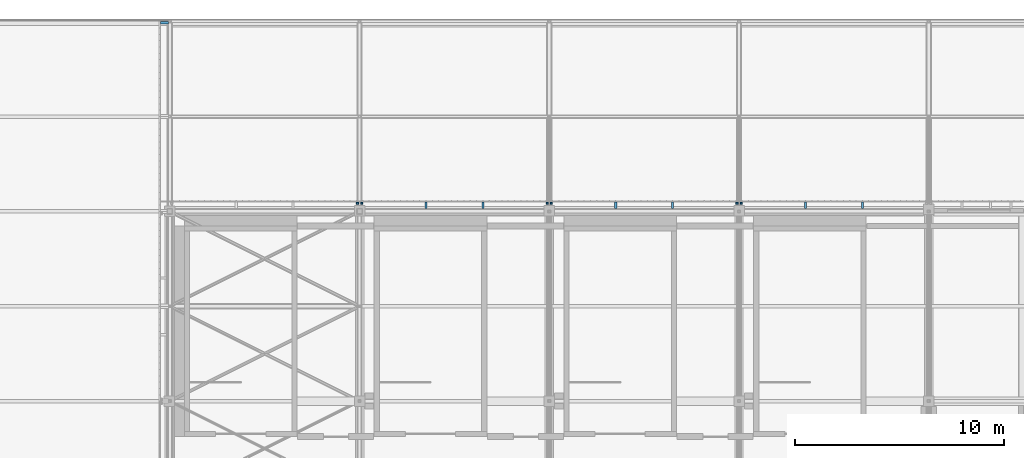
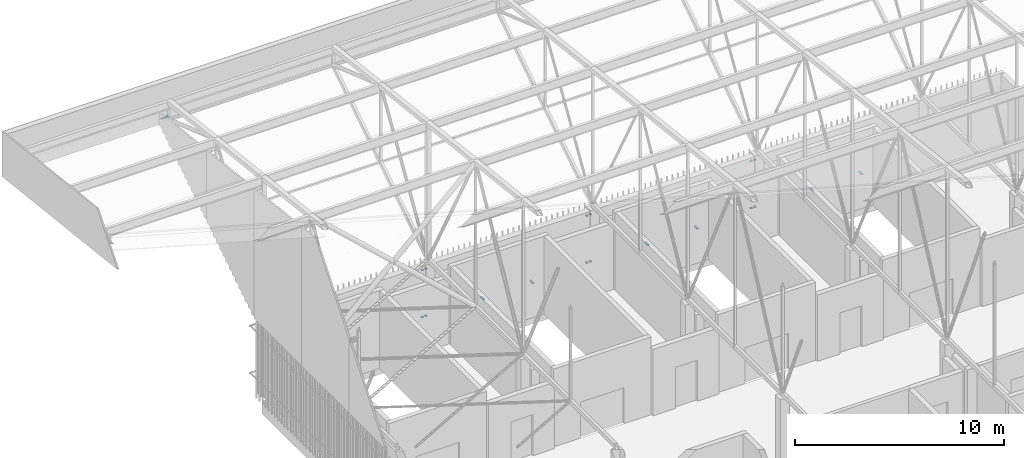
# One storey, part 447 of 500: 19 discrete accessories.
"""IFC4 building model written with IfcOpenShell, lengths in metres."""

from ifc_helpers import new_model, si_unit, direction, frame, origin, origin_2d, place, context, subcontext, project, spatial, rectangle, extrude, material, type_object, element, save


model = new_model("IFC4")

# Units and contexts
model_context = context("Model", 3, precision=1e-05, world=origin(), true_north=direction((0.0, 1.0)))
body_context = subcontext(model_context, "Body", "Model", "MODEL_VIEW")
ifc_project = project(units=[si_unit("LENGTHUNIT", "METRE"), si_unit("AREAUNIT", "SQUARE_METRE"), si_unit("VOLUMEUNIT", "CUBIC_METRE"), si_unit("PLANEANGLEUNIT", "RADIAN"), si_unit("MASSUNIT", "GRAM", prefix="KILO")], contexts=[model_context])

# Site, building, storey
site_placement = place(None, origin())
site = spatial("IfcSite", under=ifc_project, at=site_placement, CompositionType="ELEMENT")
building_placement = place(site_placement, origin())
building = spatial("IfcBuilding", under=site, at=building_placement, Name="Shirokan Park Arena", CompositionType="ELEMENT")
storey_placement = place(building_placement, frame((0.0, 0.0, 29.1201171875)))
storey = spatial("IfcBuildingStorey", under=building, at=storey_placement, Name="L06", CompositionType="ELEMENT", Elevation=29.1201171875)

# Discrete accessories
ifc_material = material(Name="Steel S355", Category="steel")
discrete_accessory_type = type_object("IfcDiscreteAccessoryType", Name="Veil bracket 100x60", PredefinedType="BRACKET", material=ifc_material)
for number, where, z_axis, x_axis, name in (
    (1, (27.39990234375, 109.597412109375, 1.06982421875), (0.0, 0.0, 1.0), (-1.0, 0.0, 0.0), "Veil bracket north bay 13 L06 2"),
    (2, (27.39990234375, 109.597412109375, 3.81982421875), (0.0, 0.0, 1.0), (-1.0, 0.0, 0.0), "Veil bracket north bay 13 L06 4"),
):
    element("IfcDiscreteAccessory", number, at=place(storey_placement, frame(where, z_axis=z_axis, x_axis=x_axis)), inside=storey, type_object=discrete_accessory_type, Name=name, PredefinedType="BRACKET", context=body_context, shape_type="SweptSolid", body=[
        extrude(rectangle(XDim=0.10009765625, YDim=0.094970703125, at=origin_2d()), origin(), (0.0, 0.0, 1.0), 0.06005859375),
    ])
for number, where, z_axis, x_axis, name in (
    (3, (33.215087890625, 109.49755859375, 1.06982421875), (0.0, 0.0, 1.0), (-1.0, 0.0, 0.0), "Veil bracket north bay 13 L06 wall 1"),
    (4, (30.485107421875, 109.49755859375, 1.06982421875), (0.0, 0.0, 1.0), (-1.0, 0.0, 0.0), "Veil bracket north bay 13 L06 wall 2"),
):
    element("IfcDiscreteAccessory", number, at=place(storey_placement, frame(where, z_axis=z_axis, x_axis=x_axis)), inside=storey, type_object=discrete_accessory_type, Name=name, PredefinedType="BRACKET", context=body_context, shape_type="SweptSolid", body=[
        extrude(rectangle(XDim=0.10009765625, YDim=0.294921875, at=origin_2d()), origin(), (0.0, 0.0, 1.0), 0.06005859375),
    ])
for number, where, z_axis, x_axis, name in (
    (5, (27.199951171875, 109.597412109375, 1.06982421875), (0.0, 0.0, 1.0), (-1.0, 0.0, 0.0), "Veil bracket north bay 14 L06 1"),
    (6, (18.300048828125, 109.597412109375, 1.06982421875), (0.0, 0.0, 1.0), (-1.0, 0.0, 0.0), "Veil bracket north bay 14 L06 2"),
    (7, (27.199951171875, 109.597412109375, 3.81982421875), (0.0, 0.0, 1.0), (-1.0, 0.0, 0.0), "Veil bracket north bay 14 L06 3"),
    (8, (18.300048828125, 109.597412109375, 3.81982421875), (0.0, 0.0, 1.0), (-1.0, 0.0, 0.0), "Veil bracket north bay 14 L06 4"),
):
    element("IfcDiscreteAccessory", number, at=place(storey_placement, frame(where, z_axis=z_axis, x_axis=x_axis)), inside=storey, type_object=discrete_accessory_type, Name=name, PredefinedType="BRACKET", context=body_context, shape_type="SweptSolid", body=[
        extrude(rectangle(XDim=0.10009765625, YDim=0.094970703125, at=origin_2d()), origin(), (0.0, 0.0, 1.0), 0.06005859375),
    ])
for number, where, z_axis, x_axis, name in (
    (9, (24.114990234375, 109.49755859375, 1.06982421875), (0.0, 0.0, 1.0), (-1.0, 0.0, 0.0), "Veil bracket north bay 14 L06 wall 1"),
    (10, (21.385009765625, 109.49755859375, 1.06982421875), (0.0, 0.0, 1.0), (-1.0, 0.0, 0.0), "Veil bracket north bay 14 L06 wall 2"),
):
    element("IfcDiscreteAccessory", number, at=place(storey_placement, frame(where, z_axis=z_axis, x_axis=x_axis)), inside=storey, type_object=discrete_accessory_type, Name=name, PredefinedType="BRACKET", context=body_context, shape_type="SweptSolid", body=[
        extrude(rectangle(XDim=0.10009765625, YDim=0.294921875, at=origin_2d()), origin(), (0.0, 0.0, 1.0), 0.06005859375),
    ])
for number, where, z_axis, x_axis, name in (
    (11, (18.10009765625, 109.597412109375, 1.06982421875), (0.0, 0.0, 1.0), (-1.0, 0.0, 0.0), "Veil bracket north bay 15 L06 1"),
    (12, (9.199951171875, 109.597412109375, 1.06982421875), (0.0, 0.0, 1.0), (-1.0, 0.0, 0.0), "Veil bracket north bay 15 L06 2"),
    (13, (18.10009765625, 109.597412109375, 3.81982421875), (0.0, 0.0, 1.0), (-1.0, 0.0, 0.0), "Veil bracket north bay 15 L06 3"),
    (14, (9.199951171875, 109.597412109375, 3.81982421875), (0.0, 0.0, 1.0), (-1.0, 0.0, 0.0), "Veil bracket north bay 15 L06 4"),
):
    element("IfcDiscreteAccessory", number, at=place(storey_placement, frame(where, z_axis=z_axis, x_axis=x_axis)), inside=storey, type_object=discrete_accessory_type, Name=name, PredefinedType="BRACKET", context=body_context, shape_type="SweptSolid", body=[
        extrude(rectangle(XDim=0.10009765625, YDim=0.094970703125, at=origin_2d()), origin(), (0.0, 0.0, 1.0), 0.06005859375),
    ])
for number, where, z_axis, x_axis, name in (
    (15, (15.014892578125, 109.49755859375, 1.06982421875), (0.0, 0.0, 1.0), (-1.0, 0.0, 0.0), "Veil bracket north bay 15 L06 wall 1"),
    (16, (12.284912109375, 109.49755859375, 1.06982421875), (0.0, 0.0, 1.0), (-1.0, 0.0, 0.0), "Veil bracket north bay 15 L06 wall 2"),
):
    element("IfcDiscreteAccessory", number, at=place(storey_placement, frame(where, z_axis=z_axis, x_axis=x_axis)), inside=storey, type_object=discrete_accessory_type, Name=name, PredefinedType="BRACKET", context=body_context, shape_type="SweptSolid", body=[
        extrude(rectangle(XDim=0.10009765625, YDim=0.294921875, at=origin_2d()), origin(), (0.0, 0.0, 1.0), 0.06005859375),
    ])
for number, where, z_axis, x_axis, name in (
    (17, (9.0, 109.597412109375, 1.06982421875), (0.0, 0.0, 1.0), (-1.0, 0.0, 0.0), "Veil bracket north bay 16 L06 1"),
    (18, (9.0, 109.597412109375, 3.81982421875), (0.0, 0.0, 1.0), (-1.0, 0.0, 0.0), "Veil bracket north bay 16 L06 3"),
):
    element("IfcDiscreteAccessory", number, at=place(storey_placement, frame(where, z_axis=z_axis, x_axis=x_axis)), inside=storey, type_object=discrete_accessory_type, Name=name, PredefinedType="BRACKET", context=body_context, shape_type="SweptSolid", body=[
        extrude(rectangle(XDim=0.10009765625, YDim=0.094970703125, at=origin_2d()), origin(), (0.0, 0.0, 1.0), 0.06005859375),
    ])
discrete_accessory_placement = place(storey_placement, frame((-0.2509765625, 118.25, 10.712646484375), z_axis=(0.0, 0.0, 1.0), x_axis=(1.0, 0.0, 0.0)))
element("IfcDiscreteAccessory", 19, at=discrete_accessory_placement, inside=storey, type_object=discrete_accessory_type, Name="Veil bracket gable band west bay 28 2", PredefinedType="BRACKET", context=body_context, shape_type="SweptSolid", body=[
    extrude(rectangle(XDim=0.387939453125, YDim=0.10009765625, at=origin_2d()), origin(), (0.0, 0.0, 1.0), 0.06005859375),
])

save(model, "model.ifc")
